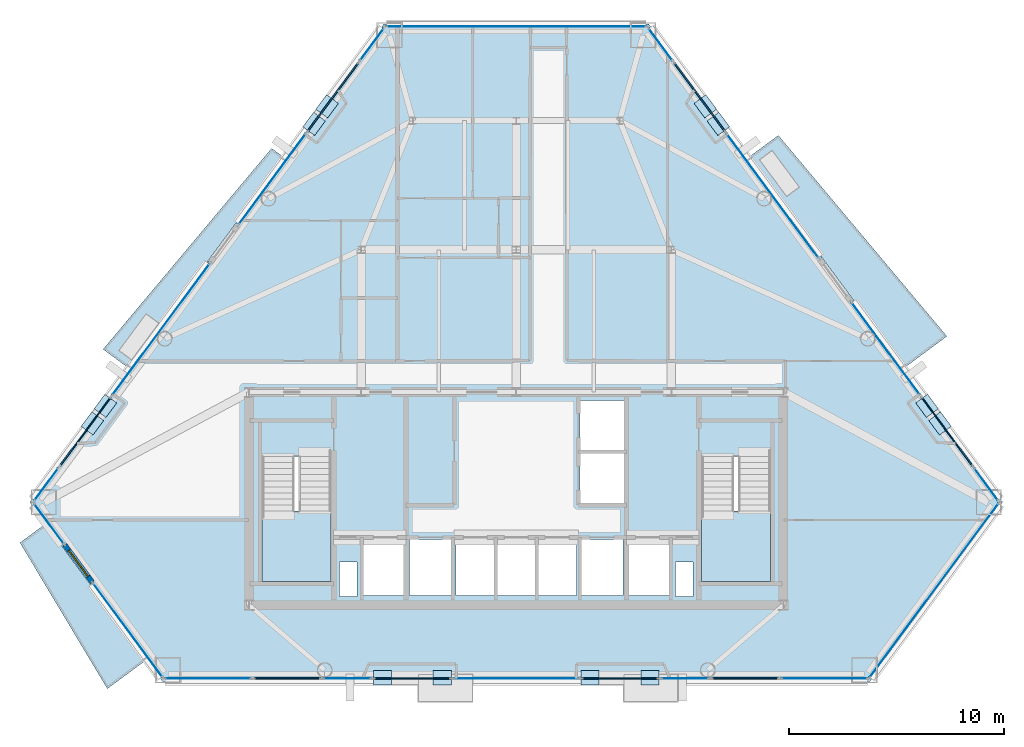
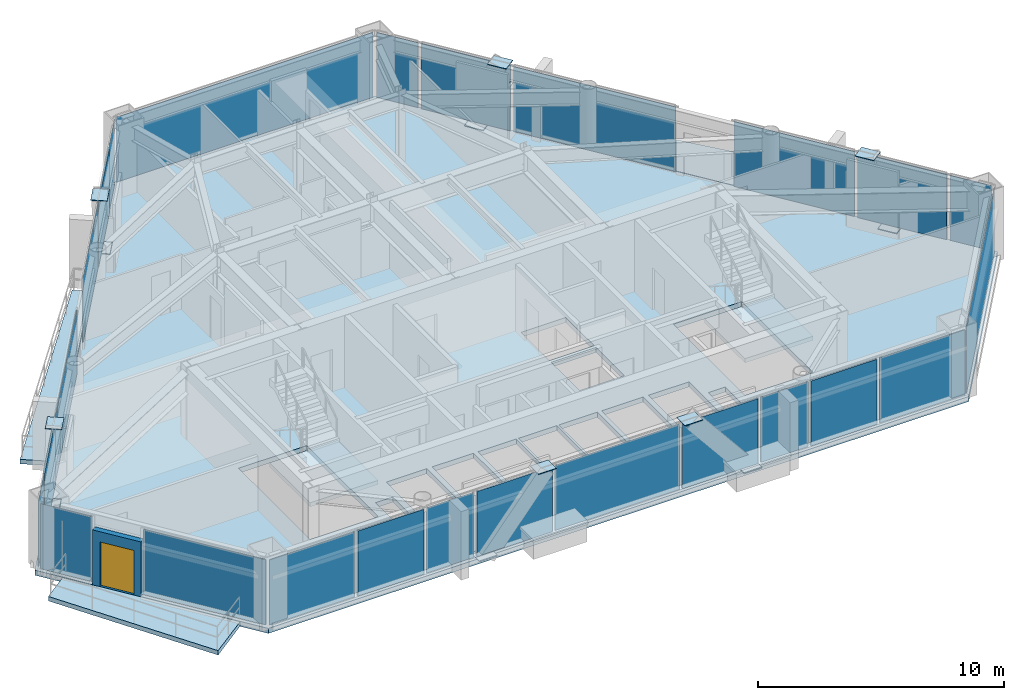
# One storey, part 7 of 13: 37 plates, 6 slabs, 1 door, 1 wall, 1 opening, 27 elements without a shape of their own.
"""IFC4 building model written with IfcOpenShell, lengths in metres."""

from ifc_helpers import new_model, si_unit, direction, frame, frame_2d, origin, origin_2d, place, context, subcontext, project, spatial, polyline, rectangle, outline, extrude, source, transform, mapped, material, layer, layer_set, type_object, type_shapes, element, fill, aggregate, save


model = new_model("IFC4")

# Units and contexts
model_context = context("Model", 3, precision=1e-05, world=origin(), true_north=direction((0.0, 1.0)))
body_context = subcontext(model_context, "Body", "Model", "MODEL_VIEW")
ifc_project = project(units=[si_unit("LENGTHUNIT", "METRE"), si_unit("AREAUNIT", "SQUARE_METRE"), si_unit("VOLUMEUNIT", "CUBIC_METRE"), si_unit("PLANEANGLEUNIT", "RADIAN"), si_unit("MASSUNIT", "GRAM", prefix="KILO")], contexts=[model_context])

# Site, building, storey
site_placement = place(None, origin())
site = spatial("IfcSite", under=ifc_project, at=site_placement, CompositionType="ELEMENT")
building_placement = place(site_placement, origin())
building = spatial("IfcBuilding", under=site, at=building_placement, Name="Talgorran Terracotta Tower", CompositionType="ELEMENT")
storey_placement = place(building_placement, frame((0.0, 0.0, 106.800048828125)))
storey = spatial("IfcBuildingStorey", under=building, at=storey_placement, Name="L27", CompositionType="ELEMENT", Elevation=106.800048828125)

# Plates
ifc_material_1 = material(Name="Steel Grade 350 (350L0)", Category="steel")
ifc_layer_1 = layer(ifc_material_1, 0.035888671875, Name="PL_CAP_MN06")
ifc_layer_set_1 = layer_set([ifc_layer_1], Name="Steel Grade 350 (350L0)")
plate_type_1 = type_object("IfcPlateType", Name="PL_CAP_MN06", PredefinedType="USERDEFINED", material=ifc_layer_set_1)
for number, where, z_axis, x_axis, name in (
    (1, (-6.21240234375, -17.4677734375, -0.0078125), (0.0, 0.0, 1.0), (1.0, 0.0, 0.0), "L27 Diagonal Frame End Cap SWF Bot"),
    (2, (-3.43310546875, -17.4677734375, 3.32177734375), (0.0, 0.0, 1.0), (1.0, 0.0, 0.0), "L27 Diagonal Frame End Cap SWF Top"),
    (3, (6.21240234375, -17.4677734375, -0.0078125), (0.0, 0.0, 1.0), (-1.0, 0.0, 0.0), "L27 Diagonal Frame End Cap SEF Bot"),
    (4, (3.43310546875, -17.4677734375, 3.32177734375), (0.0, 0.0, 1.0), (-1.0, 0.0, 0.0), "L27 Diagonal Frame End Cap SEF Top"),
    (5, (19.674560546875, -5.6572265625, -0.0078125), (0.0, 0.0, 1.0), (-0.59496307718, 0.803753032213, 0.0), "L27 Diagonal Frame End Cap NEL Bot"),
    (6, (19.071044921875, -4.841796875, 3.32177734375), (0.0, 0.0, 1.0), (-0.59496307718, 0.803753032213, 0.0), "L27 Diagonal Frame End Cap NEL Top"),
    (7, (8.779052734375, 9.06396484375, -0.0078125), (0.0, 0.0, 1.0), (0.59496307718, -0.803753032213, 0.0), "L27 Diagonal Frame End Cap NEU Bot"),
    (8, (9.382568359375, 8.24853515625, 3.32177734375), (0.0, 0.0, 1.0), (0.59496307718, -0.803753032213, 0.0), "L27 Diagonal Frame End Cap NEU Top"),
    (9, (-8.779052734375, 9.06396484375, -0.0078125), (0.0, 0.0, 1.0), (-0.59496307718, -0.803753032213, 0.0), "L27 Diagonal Frame End Cap NWU Bot"),
    (10, (-9.382568359375, 8.24853515625, 3.32177734375), (0.0, 0.0, 1.0), (-0.59496307718, -0.803753032213, 0.0), "L27 Diagonal Frame End Cap NWU Top"),
    (11, (-19.674560546875, -5.6572265625, -0.0078125), (0.0, 0.0, 1.0), (0.59496307718, 0.803753032213, 0.0), "L27 Diagonal Frame End Cap NWL Bot"),
    (12, (-19.071044921875, -4.841796875, 3.32177734375), (0.0, 0.0, 1.0), (0.59496307718, 0.803753032213, 0.0), "L27 Diagonal Frame End Cap NWL Top"),
):
    element("IfcPlate", number, at=place(storey_placement, frame(where, z_axis=z_axis, x_axis=x_axis)), inside=storey, type_object=plate_type_1, Name=name, ObjectType="CAP PLATE", PredefinedType="USERDEFINED", context=body_context, shape_type="SweptSolid", body=[
        extrude(rectangle(XDim=0.840087890625, YDim=0.679931640625, at=origin_2d()), origin(), (0.0, 0.0, 1.0), 0.035888671875),
    ])

# Slabs
ifc_material_2 = material(Name="Concrete C40/50", Category="concrete")
ifc_layer_2 = layer(ifc_material_2, 0.219970703125, Name="SL_BALCONY_220")
ifc_layer_set_2 = layer_set([ifc_layer_2], Name="Concrete C40/50")
slab_type_1 = type_object("IfcSlabType", Name="SL_BALCONY_220", PredefinedType="FLOOR", material=ifc_layer_set_2)
slab_1_placement = place(storey_placement, frame((0.0, 0.0, -0.219970703125)))
element("IfcSlab", 13, at=slab_1_placement, inside=storey, type_object=slab_type_1, Name="L27 Outdoor Wave Balcony BAL-NE", PredefinedType="FLOOR", context=body_context, shape_type="SweptSolid", body=[
    extrude(outline(polyline([(10.764404296875, 6.67578125), (17.9931640625, -3.09130859375), (19.99169921875, -1.6123046875), (12.16748046875, 7.71435546875), (10.764404296875, 6.67578125)])), origin(), (0.0, 0.0, 1.0), 0.219970703125),
])
slab_2_placement = place(storey_placement, frame((0.0, 0.0, -0.219970703125)))
element("IfcSlab", 14, at=slab_2_placement, inside=storey, type_object=slab_type_1, Name="L27 Outdoor Wave Balcony BAL-NW", PredefinedType="FLOOR", context=body_context, shape_type="SweptSolid", body=[
    extrude(outline(polyline([(-17.9931640625, -3.09130859375), (-10.764404296875, 6.67578125), (-11.35400390625, 7.1123046875), (-19.177978515625, -2.214111328125), (-17.9931640625, -3.09130859375)])), origin(), (0.0, 0.0, 1.0), 0.219970703125),
])
slab_3_placement = place(storey_placement, frame((0.0, 0.0, -0.219970703125)))
element("IfcSlab", 15, at=slab_3_placement, inside=storey, type_object=slab_type_1, Name="L27 Outdoor Wave Balcony BAL-SW", PredefinedType="FLOOR", context=body_context, shape_type="SweptSolid", body=[
    extrude(outline(polyline([(-17.179443359375, -16.639404296875), (-21.85498046875, -10.322021484375), (-23.038330078125, -11.19775390625), (-18.9833984375, -17.974365234375), (-17.179443359375, -16.639404296875)])), origin(), (0.0, 0.0, 1.0), 0.219970703125),
])

# Stair, slab
stair_type = type_object("IfcStairType", Name="ST_FIRE_SCISSOR", PredefinedType="HALF_TURN_STAIR", material=ifc_material_2)
stair_1_placement = place(storey_placement, origin())
stair_1 = element("IfcStair", 16, at=stair_1_placement, inside=storey, type_object=stair_type, Name="L27 West Protected Fire Stair ST-01", PredefinedType="HALF_TURN_STAIR")
ifc_layer_3 = layer(ifc_material_2, 0.199951171875, Name="SL_LANDING_200")
ifc_layer_set_3 = layer_set([ifc_layer_3], Name="Concrete C40/50")
slab_type_2 = type_object("IfcSlabType", Name="SL_LANDING_200", PredefinedType="LANDING", material=ifc_layer_set_3)
slab_4_placement = place(storey_placement, frame((0.0, 0.0, 1.599853515625)))
slab_4 = element("IfcSlab", 17, at=slab_4_placement, type_object=slab_type_2, Name="ST-01 landing 1", PredefinedType="LANDING", context=body_context, shape_type="SweptSolid", body=[
    extrude(outline(polyline([(-11.800048828125, -9.719970703125), (-11.800048828125, -13.0), (-8.60009765625, -13.0), (-8.60009765625, -9.719970703125), (-11.800048828125, -9.719970703125)])), origin(), (0.0, 0.0, 1.0), 0.2001953125),
])
aggregate(stair_1, [slab_4])

stair_2_placement = place(storey_placement, origin())
stair_2 = element("IfcStair", 18, at=stair_2_placement, inside=storey, type_object=stair_type, Name="L27 East Protected Fire Stair ST-02", PredefinedType="HALF_TURN_STAIR")
slab_5_placement = place(storey_placement, frame((0.0, 0.0, 1.599853515625)))
slab_5 = element("IfcSlab", 19, at=slab_5_placement, type_object=slab_type_2, Name="ST-02 landing 1", PredefinedType="LANDING", context=body_context, shape_type="SweptSolid", body=[
    extrude(outline(polyline([(8.60009765625, -9.719970703125), (8.60009765625, -13.0), (11.800048828125, -13.0), (11.800048828125, -9.719970703125), (8.60009765625, -9.719970703125)])), origin(), (0.0, 0.0, 1.0), 0.2001953125),
])
aggregate(stair_2, [slab_5])

# Slab
ifc_layer_4 = layer(ifc_material_2, 0.25, Name="SL_TOWER_250")
ifc_layer_set_4 = layer_set([ifc_layer_4], Name="Concrete C40/50")
slab_type_3 = type_object("IfcSlabType", Name="SL_TOWER_250", PredefinedType="FLOOR", material=ifc_layer_set_4)
slab_6_placement = place(storey_placement, frame((0.0, 0.0, -0.25)))
element("IfcSlab", 20, at=slab_6_placement, inside=storey, type_object=slab_type_3, Name="Storey L27 Structural Floor Slab", PredefinedType="FLOOR", context=body_context, shape_type="SweptSolid", body=[
    extrude(outline(polyline([(-22.581298828125, -9.315673828125), (-16.42919921875, -17.627685546875), (16.42919921875, -17.627685546875), (22.581298828125, -9.315673828125), (6.152099609375, 12.882080078125), (-6.152099609375, 12.882080078125), (-22.581298828125, -9.315673828125)]), holes=[polyline([(-11.800048828125, -7.199951171875), (-11.800048828125, -13.0), (-8.60009765625, -13.0), (-8.60009765625, -7.199951171875), (-11.800048828125, -7.199951171875)]), polyline([(8.60009765625, -7.199951171875), (8.60009765625, -13.0), (11.800048828125, -13.0), (11.800048828125, -7.199951171875), (8.60009765625, -7.199951171875)]), polyline([(-7.10009765625, -13.64990234375), (-5.199951171875, -13.64990234375), (-5.199951171875, -11.050048828125), (-7.10009765625, -11.050048828125), (-7.10009765625, -13.64990234375)]), polyline([(5.199951171875, -13.64990234375), (7.10009765625, -13.64990234375), (7.10009765625, -11.050048828125), (5.199951171875, -11.050048828125), (5.199951171875, -13.64990234375)]), polyline([(3.0, -13.64990234375), (4.949951171875, -13.64990234375), (4.949951171875, -11.050048828125), (3.0, -11.050048828125), (3.0, -13.64990234375)]), polyline([(-4.949951171875, -13.64990234375), (-3.0, -13.64990234375), (-3.0, -11.050048828125), (-4.949951171875, -11.050048828125), (-4.949951171875, -13.64990234375)]), polyline([(2.949951171875, -9.35009765625), (5.050048828125, -9.35009765625), (5.050048828125, -7.050048828125), (2.949951171875, -7.050048828125), (2.949951171875, -9.35009765625)]), polyline([(2.949951171875, -6.89990234375), (5.050048828125, -6.89990234375), (5.050048828125, -4.60009765625), (2.949951171875, -4.60009765625), (2.949951171875, -6.89990234375)]), polyline([(-2.800048828125, -13.64990234375), (-1.0, -13.64990234375), (-1.0, -11.050048828125), (-2.800048828125, -11.050048828125), (-2.800048828125, -13.64990234375)]), polyline([(-0.89990234375, -13.64990234375), (0.89990234375, -13.64990234375), (0.89990234375, -11.050048828125), (-0.89990234375, -11.050048828125), (-0.89990234375, -13.64990234375)]), polyline([(1.0, -13.64990234375), (2.800048828125, -13.64990234375), (2.800048828125, -11.050048828125), (1.0, -11.050048828125), (1.0, -13.64990234375)]), polyline([(-8.199951171875, -13.699951171875), (-7.39990234375, -13.699951171875), (-7.39990234375, -12.10009765625), (-8.199951171875, -12.10009765625), (-8.199951171875, -13.699951171875)]), polyline([(7.39990234375, -13.699951171875), (8.199951171875, -13.699951171875), (8.199951171875, -12.10009765625), (7.39990234375, -12.10009765625), (7.39990234375, -13.699951171875)])]), origin(), (0.0, 0.0, 1.0), 0.25),
])

# Curtain wall, plate
ifc_material_3 = material(Name="Unitised Low-E Double Glazing", Category="glass")
ifc_layer_5 = layer(ifc_material_3, 0.199951171875, Name="CW_SYS2_RES_LOW")
ifc_layer_set_5 = layer_set([ifc_layer_5], Name="Unitised Low-E Double Glazing")
curtain_wall_type = type_object("IfcCurtainWallType", Name="CW_SYS2_RES_LOW", PredefinedType="NOTDEFINED", material=ifc_layer_set_5)
curtain_wall_1_placement = place(storey_placement, origin())
curtain_wall_1 = element("IfcCurtainWall", 21, at=curtain_wall_1_placement, inside=storey, type_object=curtain_wall_type, Name="CW-L27-F10", PredefinedType="NOTDEFINED")
ifc_material_4 = material(Name="Low-E Laminated Vision Glass", Category="glass")
ifc_layer_6 = layer(ifc_material_4, 0.028076171875, Name="PLT_VISION_28")
ifc_layer_set_6 = layer_set([ifc_layer_6], Name="Low-E Laminated Vision Glass")
plate_type_2 = type_object("IfcPlateType", Name="PLT_VISION_28", PredefinedType="CURTAIN_PANEL", material=ifc_layer_set_6)
shared_shape_1 = source(origin(), body_context, "Body", "SweptSolid", [
    extrude(rectangle(XDim=2.288818359375, YDim=0.028076171875, at=origin_2d()), origin(), (0.0, 0.0, 1.0), 3.219970703125),
])
plate_1_placement = place(storey_placement, frame((-21.688720703125, -10.31982421875, 0.06494140625), z_axis=(0.0, 0.0, 1.0), x_axis=(0.594921007652, -0.803784171687, 0.0)))
plate_1 = element("IfcPlate", 22, at=plate_1_placement, type_object=plate_type_2, Name="CW-L27-10 panel 1.1", PredefinedType="CURTAIN_PANEL", context=body_context, shape_type="MappedRepresentation", body=[
    mapped(shared_shape_1, transform((0.0, 0.0, 0.0), scale=1.0)),
])
aggregate(curtain_wall_1, [plate_1])

curtain_wall_2_placement = place(storey_placement, origin())
curtain_wall_2 = element("IfcCurtainWall", 23, at=curtain_wall_2_placement, inside=storey, type_object=curtain_wall_type, Name="CW-L27-F11", PredefinedType="NOTDEFINED")
shared_shape_2 = source(origin(), body_context, "Body", "SweptSolid", [
    extrude(rectangle(XDim=5.403076171875, YDim=0.028076171875, at=origin_2d()), origin(), (0.0, 0.0, 1.0), 3.219970703125),
])
plate_2_placement = place(storey_placement, frame((-18.038330078125, -15.251953125, 0.06494140625), z_axis=(0.0, 0.0, 1.0), x_axis=(0.594915875051, -0.803787970557, 0.0)))
plate_2 = element("IfcPlate", 24, at=plate_2_placement, type_object=plate_type_2, Name="CW-L27-11 panel 1.1", PredefinedType="CURTAIN_PANEL", context=body_context, shape_type="MappedRepresentation", body=[
    mapped(shared_shape_2, transform((0.0, 0.0, 0.0), scale=1.0)),
])
aggregate(curtain_wall_2, [plate_2])

curtain_wall_3_placement = place(storey_placement, origin())
curtain_wall_3 = element("IfcCurtainWall", 25, at=curtain_wall_3_placement, inside=storey, type_object=curtain_wall_type, Name="CW-L27-F1", PredefinedType="NOTDEFINED")
shared_shape_3 = source(origin(), body_context, "Body", "SweptSolid", [
    extrude(rectangle(XDim=3.9892578125, YDim=0.028076171875, at=origin_2d()), origin(), (0.0, 0.0, 1.0), 3.219970703125),
])
plate_3_placement = place(storey_placement, frame((-14.30908203125, -17.5078125, 0.06494140625), z_axis=(0.0, 0.0, 1.0), x_axis=(1.0, 0.0, 0.0)))
plate_3 = element("IfcPlate", 26, at=plate_3_placement, type_object=plate_type_2, Name="CW-L27-1 panel 1.1", PredefinedType="CURTAIN_PANEL", context=body_context, shape_type="MappedRepresentation", body=[
    mapped(shared_shape_3, transform((0.0, 0.0, 0.0), scale=1.0)),
])
aggregate(curtain_wall_3, [plate_3])

curtain_wall_4_placement = place(storey_placement, origin())
curtain_wall_4 = element("IfcCurtainWall", 27, at=curtain_wall_4_placement, inside=storey, type_object=curtain_wall_type, Name="CW-L27-F1I", PredefinedType="NOTDEFINED")
plate_4_placement = place(storey_placement, frame((14.30908203125, -17.5078125, 0.06494140625), z_axis=(0.0, 0.0, 1.0), x_axis=(1.0, 0.0, 0.0)))
plate_4 = element("IfcPlate", 28, at=plate_4_placement, type_object=plate_type_2, Name="CW-L27-1I panel 1.1", PredefinedType="CURTAIN_PANEL", context=body_context, shape_type="MappedRepresentation", body=[
    mapped(shared_shape_3, transform((0.0, 0.0, 0.0), scale=1.0)),
])
aggregate(curtain_wall_4, [plate_4])

curtain_wall_5_placement = place(storey_placement, origin())
curtain_wall_5 = element("IfcCurtainWall", 29, at=curtain_wall_5_placement, inside=storey, type_object=curtain_wall_type, Name="CW-L27-F1B", PredefinedType="NOTDEFINED")
ifc_material_5 = material(Name="Terracotta Insulated Spandrel", Category="masonry")
ifc_layer_7 = layer(ifc_material_5, 0.06494140625, Name="PLT_SPANDREL_TERRA")
ifc_layer_set_7 = layer_set([ifc_layer_7], Name="Terracotta Insulated Spandrel")
plate_type_3 = type_object("IfcPlateType", Name="PLT_SPANDREL_TERRA", PredefinedType="SHEET", material=ifc_layer_set_7)
shared_shape_4 = source(origin(), body_context, "Body", "SweptSolid", [
    extrude(rectangle(XDim=3.095703125, YDim=0.06494140625, at=origin_2d()), origin(), (0.0, 0.0, 1.0), 3.219970703125),
])
plate_5_placement = place(storey_placement, frame((-10.62646484375, -17.5078125, 0.06494140625), z_axis=(0.0, 0.0, 1.0), x_axis=(1.0, 0.0, 0.0)))
plate_5 = element("IfcPlate", 30, at=plate_5_placement, type_object=plate_type_3, Name="CW-L27-1B panel 1.1", PredefinedType="CURTAIN_PANEL", context=body_context, shape_type="MappedRepresentation", body=[
    mapped(shared_shape_4, transform((0.0, 0.0, 0.0), scale=1.0)),
])
aggregate(curtain_wall_5, [plate_5])

curtain_wall_6_placement = place(storey_placement, origin())
curtain_wall_6 = element("IfcCurtainWall", 31, at=curtain_wall_6_placement, inside=storey, type_object=curtain_wall_type, Name="CW-L27-F1H", PredefinedType="NOTDEFINED")
plate_6_placement = place(storey_placement, frame((10.62646484375, -17.5078125, 0.06494140625), z_axis=(0.0, 0.0, 1.0), x_axis=(1.0, 0.0, 0.0)))
plate_6 = element("IfcPlate", 32, at=plate_6_placement, type_object=plate_type_3, Name="CW-L27-1H panel 1.1", PredefinedType="CURTAIN_PANEL", context=body_context, shape_type="MappedRepresentation", body=[
    mapped(shared_shape_4, transform((0.0, 0.0, 0.0), scale=1.0)),
])
aggregate(curtain_wall_6, [plate_6])

curtain_wall_7_placement = place(storey_placement, origin())
curtain_wall_7 = element("IfcCurtainWall", 33, at=curtain_wall_7_placement, inside=storey, type_object=curtain_wall_type, Name="CW-L27-F1C", PredefinedType="NOTDEFINED")
shared_shape_5 = source(origin(), body_context, "Body", "SweptSolid", [
    extrude(rectangle(XDim=2.2041015625, YDim=0.028076171875, at=origin_2d()), origin(), (0.0, 0.0, 1.0), 3.219970703125),
])
plate_7_placement = place(storey_placement, frame((-7.83642578125, -17.5078125, 0.06494140625), z_axis=(0.0, 0.0, 1.0), x_axis=(1.0, 0.0, 0.0)))
plate_7 = element("IfcPlate", 34, at=plate_7_placement, type_object=plate_type_2, Name="CW-L27-1C panel 1.1", PredefinedType="CURTAIN_PANEL", context=body_context, shape_type="MappedRepresentation", body=[
    mapped(shared_shape_5, transform((0.0, 0.0, 0.0), scale=1.0)),
])
aggregate(curtain_wall_7, [plate_7])

curtain_wall_8_placement = place(storey_placement, origin())
curtain_wall_8 = element("IfcCurtainWall", 35, at=curtain_wall_8_placement, inside=storey, type_object=curtain_wall_type, Name="CW-L27-F1G", PredefinedType="NOTDEFINED")
plate_8_placement = place(storey_placement, frame((7.83642578125, -17.5078125, 0.06494140625), z_axis=(0.0, 0.0, 1.0), x_axis=(1.0, 0.0, 0.0)))
plate_8 = element("IfcPlate", 36, at=plate_8_placement, type_object=plate_type_2, Name="CW-L27-1G panel 1.1", PredefinedType="CURTAIN_PANEL", context=body_context, shape_type="MappedRepresentation", body=[
    mapped(shared_shape_5, transform((0.0, 0.0, 0.0), scale=1.0)),
])
aggregate(curtain_wall_8, [plate_8])

curtain_wall_9_placement = place(storey_placement, origin())
curtain_wall_9 = element("IfcCurtainWall", 37, at=curtain_wall_9_placement, inside=storey, type_object=curtain_wall_type, Name="CW-L27-F1D", PredefinedType="NOTDEFINED")
shared_shape_6 = source(origin(), body_context, "Body", "SweptSolid", [
    extrude(rectangle(XDim=3.543212890625, YDim=0.06494140625, at=origin_2d()), origin(), (0.0, 0.0, 1.0), 3.219970703125),
])
plate_9_placement = place(storey_placement, frame((-4.82275390625, -17.5078125, 0.06494140625), z_axis=(0.0, 0.0, 1.0), x_axis=(1.0, 0.0, 0.0)))
plate_9 = element("IfcPlate", 38, at=plate_9_placement, type_object=plate_type_3, Name="CW-L27-1D panel 1.1", PredefinedType="CURTAIN_PANEL", context=body_context, shape_type="MappedRepresentation", body=[
    mapped(shared_shape_6, transform((0.0, 0.0, 0.0), scale=1.0)),
])
aggregate(curtain_wall_9, [plate_9])

curtain_wall_10_placement = place(storey_placement, origin())
curtain_wall_10 = element("IfcCurtainWall", 39, at=curtain_wall_10_placement, inside=storey, type_object=curtain_wall_type, Name="CW-L27-F1F", PredefinedType="NOTDEFINED")
plate_10_placement = place(storey_placement, frame((4.82275390625, -17.5078125, 0.06494140625), z_axis=(0.0, 0.0, 1.0), x_axis=(1.0, 0.0, 0.0)))
plate_10 = element("IfcPlate", 40, at=plate_10_placement, type_object=plate_type_3, Name="CW-L27-1F panel 1.1", PredefinedType="CURTAIN_PANEL", context=body_context, shape_type="MappedRepresentation", body=[
    mapped(shared_shape_6, transform((0.0, 0.0, 0.0), scale=1.0)),
])
aggregate(curtain_wall_10, [plate_10])

curtain_wall_11_placement = place(storey_placement, origin())
curtain_wall_11 = element("IfcCurtainWall", 41, at=curtain_wall_11_placement, inside=storey, type_object=curtain_wall_type, Name="CW-L27-F1E", PredefinedType="NOTDEFINED")
shared_shape_7 = source(origin(), body_context, "Body", "SweptSolid", [
    extrude(rectangle(XDim=5.822509765625, YDim=0.028076171875, at=origin_2d()), origin(), (0.0, 0.0, 1.0), 3.219970703125),
])
plate_11_placement = place(storey_placement, frame((0.0, -17.5078125, 0.06494140625), z_axis=(0.0, 0.0, 1.0), x_axis=(1.0, 0.0, 0.0)))
plate_11 = element("IfcPlate", 42, at=plate_11_placement, type_object=plate_type_2, Name="CW-L27-1E panel 1.1", PredefinedType="CURTAIN_PANEL", context=body_context, shape_type="MappedRepresentation", body=[
    mapped(shared_shape_7, transform((0.0, 0.0, 0.0), scale=1.0)),
])
aggregate(curtain_wall_11, [plate_11])

curtain_wall_12_placement = place(storey_placement, origin())
curtain_wall_12 = element("IfcCurtainWall", 43, at=curtain_wall_12_placement, inside=storey, type_object=curtain_wall_type, Name="CW-L27-F2", PredefinedType="NOTDEFINED")
shared_shape_8 = source(origin(), body_context, "Body", "SweptSolid", [
    extrude(rectangle(XDim=10.06201171875, YDim=0.028076171875, at=origin_2d()), origin(), (0.0, 0.0, 1.0), 3.219970703125),
])
plate_12_placement = place(storey_placement, frame((19.400146484375, -13.41162109375, 0.06494140625), z_axis=(0.0, 0.0, 1.0), x_axis=(0.594910967294, 0.803791602963, 0.0)))
plate_12 = element("IfcPlate", 44, at=plate_12_placement, type_object=plate_type_2, Name="CW-L27-2 panel 1.1", PredefinedType="CURTAIN_PANEL", context=body_context, shape_type="MappedRepresentation", body=[
    mapped(shared_shape_8, transform((0.0, 0.0, 0.0), scale=1.0)),
])
aggregate(curtain_wall_12, [plate_12])

curtain_wall_13_placement = place(storey_placement, origin())
curtain_wall_13 = element("IfcCurtainWall", 45, at=curtain_wall_13_placement, inside=storey, type_object=curtain_wall_type, Name="CW-L27-F40", PredefinedType="NOTDEFINED")
shared_shape_9 = source(origin(), body_context, "Body", "SweptSolid", [
    extrude(rectangle(XDim=1.853271484375, YDim=0.028076171875, at=origin_2d()), origin(), (0.0, 0.0, 1.0), 3.219970703125),
])
plate_13_placement = place(storey_placement, frame((21.818115234375, -8.486328125, 0.06494140625), z_axis=(0.0, 0.0, 1.0), x_axis=(-0.5949055562, 0.803795607852, 0.0)))
plate_13 = element("IfcPlate", 46, at=plate_13_placement, type_object=plate_type_2, Name="CW-L27-40 panel 1.1", PredefinedType="CURTAIN_PANEL", context=body_context, shape_type="MappedRepresentation", body=[
    mapped(shared_shape_9, transform((0.0, 0.0, 0.0), scale=1.0)),
])
aggregate(curtain_wall_13, [plate_13])

curtain_wall_14_placement = place(storey_placement, origin())
curtain_wall_14 = element("IfcCurtainWall", 47, at=curtain_wall_14_placement, inside=storey, type_object=curtain_wall_type, Name="CW-L27-F61C", PredefinedType="NOTDEFINED")
plate_14_placement = place(storey_placement, frame((-21.818115234375, -8.486328125, 0.06494140625), z_axis=(0.0, 0.0, 1.0), x_axis=(-0.594929666877, -0.803777762488, 0.0)))
plate_14 = element("IfcPlate", 48, at=plate_14_placement, type_object=plate_type_2, Name="CW-L27-61C panel 1.1", PredefinedType="CURTAIN_PANEL", context=body_context, shape_type="MappedRepresentation", body=[
    mapped(shared_shape_9, transform((0.0, 0.0, 0.0), scale=1.0)),
])
aggregate(curtain_wall_14, [plate_14])

curtain_wall_15_placement = place(storey_placement, origin())
curtain_wall_15 = element("IfcCurtainWall", 49, at=curtain_wall_15_placement, inside=storey, type_object=curtain_wall_type, Name="CW-L27-F40B", PredefinedType="NOTDEFINED")
shared_shape_10 = source(origin(), body_context, "Body", "SweptSolid", [
    extrude(rectangle(XDim=3.95068359375, YDim=0.06494140625, at=origin_2d()), origin(), (0.0, 0.0, 1.0), 3.219970703125),
])
type_shapes(plate_type_3, [shared_shape_4, shared_shape_6, shared_shape_10])
plate_15_placement = place(storey_placement, frame((20.008544921875, -6.041259765625, 0.06494140625), z_axis=(0.0, 0.0, 1.0), x_axis=(-0.594910457276, 0.803791980442, 0.0)))
plate_15 = element("IfcPlate", 50, at=plate_15_placement, type_object=plate_type_3, Name="CW-L27-40B panel 1.1", PredefinedType="CURTAIN_PANEL", context=body_context, shape_type="MappedRepresentation", body=[
    mapped(shared_shape_10, transform((0.0, 0.0, 0.0), scale=1.0)),
])
aggregate(curtain_wall_15, [plate_15])

curtain_wall_16_placement = place(storey_placement, origin())
curtain_wall_16 = element("IfcCurtainWall", 51, at=curtain_wall_16_placement, inside=storey, type_object=curtain_wall_type, Name="CW-L27-F41B", PredefinedType="NOTDEFINED")
plate_16_placement = place(storey_placement, frame((8.509521484375, 9.495361328125, 0.06494140625), z_axis=(0.0, 0.0, 1.0), x_axis=(-0.594910457276, 0.803791980442, 0.0)))
plate_16 = element("IfcPlate", 52, at=plate_16_placement, type_object=plate_type_3, Name="CW-L27-41B panel 1.1", PredefinedType="CURTAIN_PANEL", context=body_context, shape_type="MappedRepresentation", body=[
    mapped(shared_shape_10, transform((0.0, 0.0, 0.0), scale=1.0)),
])
aggregate(curtain_wall_16, [plate_16])

curtain_wall_17_placement = place(storey_placement, origin())
curtain_wall_17 = element("IfcCurtainWall", 53, at=curtain_wall_17_placement, inside=storey, type_object=curtain_wall_type, Name="CW-L27-F60B", PredefinedType="NOTDEFINED")
plate_17_placement = place(storey_placement, frame((-8.509521484375, 9.495361328125, 0.06494140625), z_axis=(0.0, 0.0, 1.0), x_axis=(-0.594910457276, -0.803791980442, 0.0)))
plate_17 = element("IfcPlate", 54, at=plate_17_placement, type_object=plate_type_3, Name="CW-L27-60B panel 1.1", PredefinedType="CURTAIN_PANEL", context=body_context, shape_type="MappedRepresentation", body=[
    mapped(shared_shape_10, transform((0.0, 0.0, 0.0), scale=1.0)),
])
aggregate(curtain_wall_17, [plate_17])

curtain_wall_18_placement = place(storey_placement, origin())
curtain_wall_18 = element("IfcCurtainWall", 55, at=curtain_wall_18_placement, inside=storey, type_object=curtain_wall_type, Name="CW-L27-F61B", PredefinedType="NOTDEFINED")
plate_18_placement = place(storey_placement, frame((-20.008544921875, -6.041259765625, 0.06494140625), z_axis=(0.0, 0.0, 1.0), x_axis=(-0.594922175399, -0.803783307377, 0.0)))
plate_18 = element("IfcPlate", 56, at=plate_18_placement, type_object=plate_type_3, Name="CW-L27-61B panel 1.1", PredefinedType="CURTAIN_PANEL", context=body_context, shape_type="MappedRepresentation", body=[
    mapped(shared_shape_10, transform((0.0, 0.0, 0.0), scale=1.0)),
])
aggregate(curtain_wall_18, [plate_18])

curtain_wall_19_placement = place(storey_placement, origin())
curtain_wall_19 = element("IfcCurtainWall", 57, at=curtain_wall_19_placement, inside=storey, type_object=curtain_wall_type, Name="CW-L27-F40C", PredefinedType="NOTDEFINED")
shared_shape_11 = source(origin(), body_context, "Body", "SweptSolid", [
    extrude(rectangle(XDim=5.337890625, YDim=0.028076171875, at=origin_2d()), origin(), (0.0, 0.0, 1.0), 3.219970703125),
])
plate_19_placement = place(storey_placement, frame((17.162109375, -2.195556640625, 0.06494140625), z_axis=(0.0, 0.0, 1.0), x_axis=(-0.594905162634, 0.803795899139, 0.0)))
plate_19 = element("IfcPlate", 58, at=plate_19_placement, type_object=plate_type_2, Name="CW-L27-40C panel 1.1", PredefinedType="CURTAIN_PANEL", context=body_context, shape_type="MappedRepresentation", body=[
    mapped(shared_shape_11, transform((0.0, 0.0, 0.0), scale=1.0)),
])
aggregate(curtain_wall_19, [plate_19])

curtain_wall_20_placement = place(storey_placement, origin())
curtain_wall_20 = element("IfcCurtainWall", 59, at=curtain_wall_20_placement, inside=storey, type_object=curtain_wall_type, Name="CW-L27-F41", PredefinedType="NOTDEFINED")
shared_shape_12 = source(origin(), body_context, "Body", "SweptSolid", [
    extrude(rectangle(XDim=7.170166015625, YDim=0.028076171875, at=origin_2d()), origin(), (0.0, 0.0, 1.0), 3.219970703125),
])
plate_20_placement = place(storey_placement, frame((11.900634765625, 4.913330078125, 0.06494140625), z_axis=(0.0, 0.0, 1.0), x_axis=(-0.59490974147, 0.803792510232, 0.0)))
plate_20 = element("IfcPlate", 60, at=plate_20_placement, type_object=plate_type_2, Name="CW-L27-41 panel 1.1", PredefinedType="CURTAIN_PANEL", context=body_context, shape_type="MappedRepresentation", body=[
    mapped(shared_shape_12, transform((0.0, 0.0, 0.0), scale=1.0)),
])
aggregate(curtain_wall_20, [plate_20])

curtain_wall_21_placement = place(storey_placement, origin())
curtain_wall_21 = element("IfcCurtainWall", 61, at=curtain_wall_21_placement, inside=storey, type_object=curtain_wall_type, Name="CW-L27-F41C", PredefinedType="NOTDEFINED")
shared_shape_13 = source(origin(), body_context, "Body", "SweptSolid", [
    extrude(rectangle(XDim=1.843994140625, YDim=0.028076171875, at=origin_2d()), origin(), (0.0, 0.0, 1.0), 3.219970703125),
])
plate_21_placement = place(storey_placement, frame((6.70263671875, 11.936767578125, 0.06494140625), z_axis=(0.0, 0.0, 1.0), x_axis=(-0.594913711339, 0.803789572003, 0.0)))
plate_21 = element("IfcPlate", 62, at=plate_21_placement, type_object=plate_type_2, Name="CW-L27-41C panel 1.1", PredefinedType="CURTAIN_PANEL", context=body_context, shape_type="MappedRepresentation", body=[
    mapped(shared_shape_13, transform((0.0, 0.0, 0.0), scale=1.0)),
])
aggregate(curtain_wall_21, [plate_21])

curtain_wall_22_placement = place(storey_placement, origin())
curtain_wall_22 = element("IfcCurtainWall", 63, at=curtain_wall_22_placement, inside=storey, type_object=curtain_wall_type, Name="CW-L27-F60", PredefinedType="NOTDEFINED")
plate_22_placement = place(storey_placement, frame((-6.70263671875, 11.936767578125, 0.06494140625), z_axis=(0.0, 0.0, 1.0), x_axis=(-0.594913711339, -0.803789572003, 0.0)))
plate_22 = element("IfcPlate", 64, at=plate_22_placement, type_object=plate_type_2, Name="CW-L27-60 panel 1.1", PredefinedType="CURTAIN_PANEL", context=body_context, shape_type="MappedRepresentation", body=[
    mapped(shared_shape_13, transform((0.0, 0.0, 0.0), scale=1.0)),
])
aggregate(curtain_wall_22, [plate_22])

curtain_wall_23_placement = place(storey_placement, origin())
curtain_wall_23 = element("IfcCurtainWall", 65, at=curtain_wall_23_placement, inside=storey, type_object=curtain_wall_type, Name="CW-L27-F4", PredefinedType="NOTDEFINED")
shared_shape_14 = source(origin(), body_context, "Body", "SweptSolid", [
    extrude(rectangle(XDim=12.05322265625, YDim=0.028076171875, at=origin_2d()), origin(), (0.0, 0.0, 1.0), 3.219970703125),
])
plate_23_placement = place(storey_placement, frame((0.0, 12.76220703125, 0.06494140625), z_axis=(0.0, 0.0, 1.0), x_axis=(-1.0, 0.0, 0.0)))
plate_23 = element("IfcPlate", 66, at=plate_23_placement, type_object=plate_type_2, Name="CW-L27-4 panel 1.1", PredefinedType="CURTAIN_PANEL", context=body_context, shape_type="MappedRepresentation", body=[
    mapped(shared_shape_14, transform((0.0, 0.0, 0.0), scale=1.0)),
])
aggregate(curtain_wall_23, [plate_23])

curtain_wall_24_placement = place(storey_placement, origin())
curtain_wall_24 = element("IfcCurtainWall", 67, at=curtain_wall_24_placement, inside=storey, type_object=curtain_wall_type, Name="CW-L27-F60C", PredefinedType="NOTDEFINED")
shared_shape_15 = source(origin(), body_context, "Body", "SweptSolid", [
    extrude(rectangle(XDim=5.23388671875, YDim=0.028076171875, at=origin_2d()), origin(), (0.0, 0.0, 1.0), 3.219970703125),
])
plate_24_placement = place(storey_placement, frame((-11.32470703125, 5.69140625, 0.06494140625), z_axis=(0.0, 0.0, 1.0), x_axis=(-0.594910946419, -0.803791618413, 0.0)))
plate_24 = element("IfcPlate", 68, at=plate_24_placement, type_object=plate_type_2, Name="CW-L27-60C panel 1.1", PredefinedType="CURTAIN_PANEL", context=body_context, shape_type="MappedRepresentation", body=[
    mapped(shared_shape_15, transform((0.0, 0.0, 0.0), scale=1.0)),
])
aggregate(curtain_wall_24, [plate_24])

curtain_wall_25_placement = place(storey_placement, origin())
curtain_wall_25 = element("IfcCurtainWall", 69, at=curtain_wall_25_placement, inside=storey, type_object=curtain_wall_type, Name="CW-L27-F61", PredefinedType="NOTDEFINED")
shared_shape_16 = source(origin(), body_context, "Body", "SweptSolid", [
    extrude(rectangle(XDim=7.574462890625, YDim=0.028076171875, at=origin_2d()), origin(), (0.0, 0.0, 1.0), 3.219970703125),
])
type_shapes(plate_type_2, [shared_shape_1, shared_shape_2, shared_shape_3, shared_shape_5, shared_shape_7, shared_shape_8, shared_shape_9, shared_shape_11, shared_shape_12, shared_shape_13, shared_shape_14, shared_shape_15, shared_shape_16])
plate_25_placement = place(storey_placement, frame((-16.496826171875, -1.296630859375, 0.06494140625), z_axis=(0.0, 0.0, 1.0), x_axis=(-0.594910266807, -0.803792121414, 0.0)))
plate_25 = element("IfcPlate", 70, at=plate_25_placement, type_object=plate_type_2, Name="CW-L27-61 panel 1.1", PredefinedType="CURTAIN_PANEL", context=body_context, shape_type="MappedRepresentation", body=[
    mapped(shared_shape_16, transform((0.0, 0.0, 0.0), scale=1.0)),
])
aggregate(curtain_wall_25, [plate_25])

# Wall, opening, door
ifc_layer_8 = layer(ifc_material_2, 0.239990234375, Name="WT_BALCONY_SPAND")
ifc_layer_set_8 = layer_set([ifc_layer_8], Name="Concrete C40/50")
wall_type = type_object("IfcWallType", Name="WT_BALCONY_SPAND", PredefinedType="STANDARD", material=ifc_layer_set_8)
wall_placement = place(storey_placement, frame((-20.963134765625, -11.300048828125, -0.01513671875), z_axis=(0.0, 0.0, 1.0), x_axis=(0.59491376708, -0.803789530747, 0.0)))
wall = element("IfcWall", 71, at=wall_placement, inside=storey, type_object=wall_type, Name="WL-L27-BALP-BAL-SW", PredefinedType="STANDARD", context=body_context, shape_type="SweptSolid", body=[
    extrude(rectangle(XDim=2.14013671875, YDim=0.239990234375, at=frame_2d((1.070068359375, 0.0))), origin(), (0.0, 0.0, 1.0), 2.728515625),
])
opening_placement = place(wall_placement, frame((0.320068359375, 0.0, 0.014892578125)))
opening = element("IfcOpeningElement", 72, at=opening_placement, cuts=wall, Name="Opening D-BAL-L27-3", PredefinedType="OPENING", context=body_context, shape_type="SweptSolid", body=[
    extrude(rectangle(XDim=1.506, YDim=2.203951171875, at=frame_2d((0.75, 1.10205078125))), frame((0.0, 0.1298828125, 0.0), z_axis=(0.0, -1.0, 0.0), x_axis=(1.0, 0.0, 0.0)), (0.0, 0.0, 1.0), 0.260009765625),
])
ifc_material_6 = material(Name="Thermally Broken Aluminium", Category="aluminium")
door_type = type_object("IfcDoorType", Name="DT_BALC_1500", OperationType="SLIDING_TO_RIGHT", PredefinedType="DOOR", material=ifc_material_6)
door_placement = place(opening_placement, origin())
door = element("IfcDoor", 73, at=door_placement, inside=storey, type_object=door_type, Name="DR-L27-BAL-BAL-SW", OperationType="SLIDING_TO_RIGHT", OverallHeight=2.199951171875, OverallWidth=1.5, PredefinedType="DOOR", context=body_context, shape_type="SweptSolid", body=[
    extrude(rectangle(XDim=1.5, YDim=2.199951171875, at=frame_2d((0.75, 1.10009765625))), frame((0.0, 0.02490234375, 0.0), z_axis=(0.0, -1.0, 0.0), x_axis=(1.0, 0.0, 0.0)), (0.0, 0.0, 1.0), 0.050048828125),
])
fill(opening, door)

save(model, "model.ifc")
